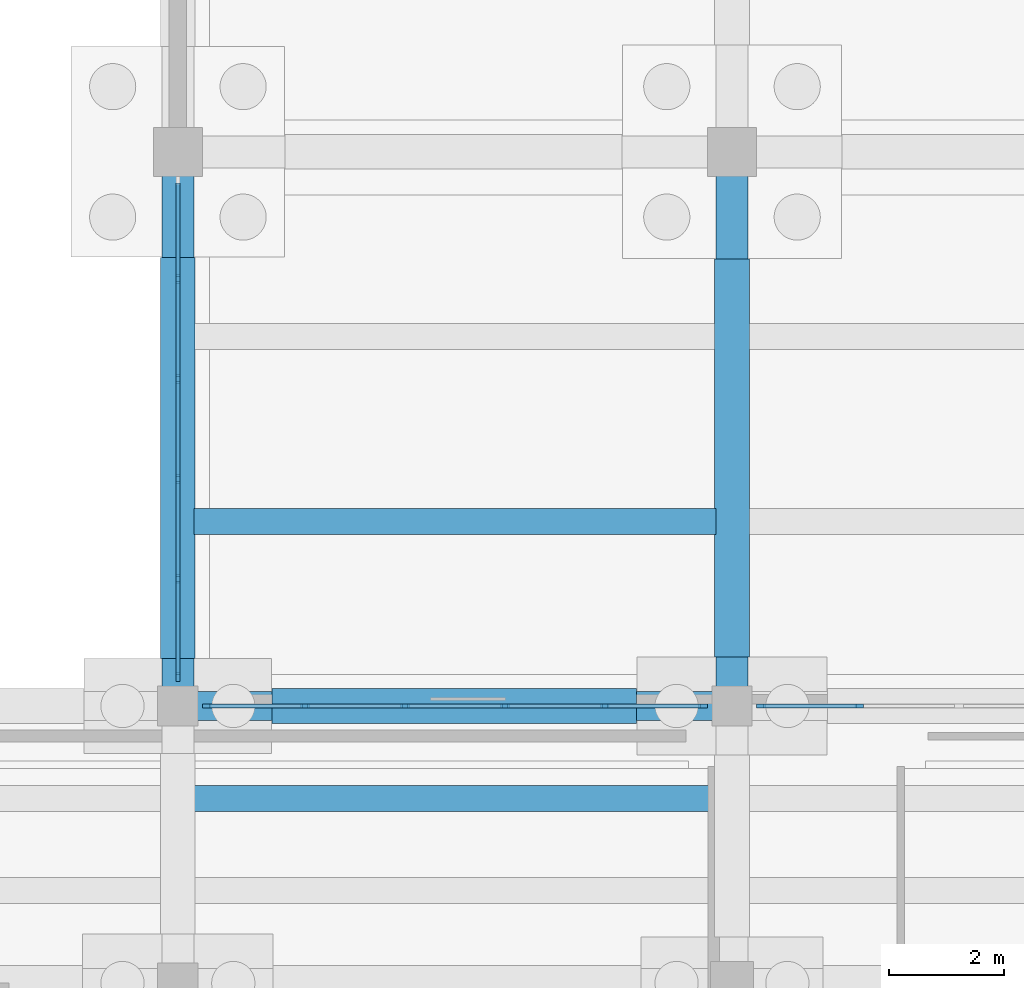
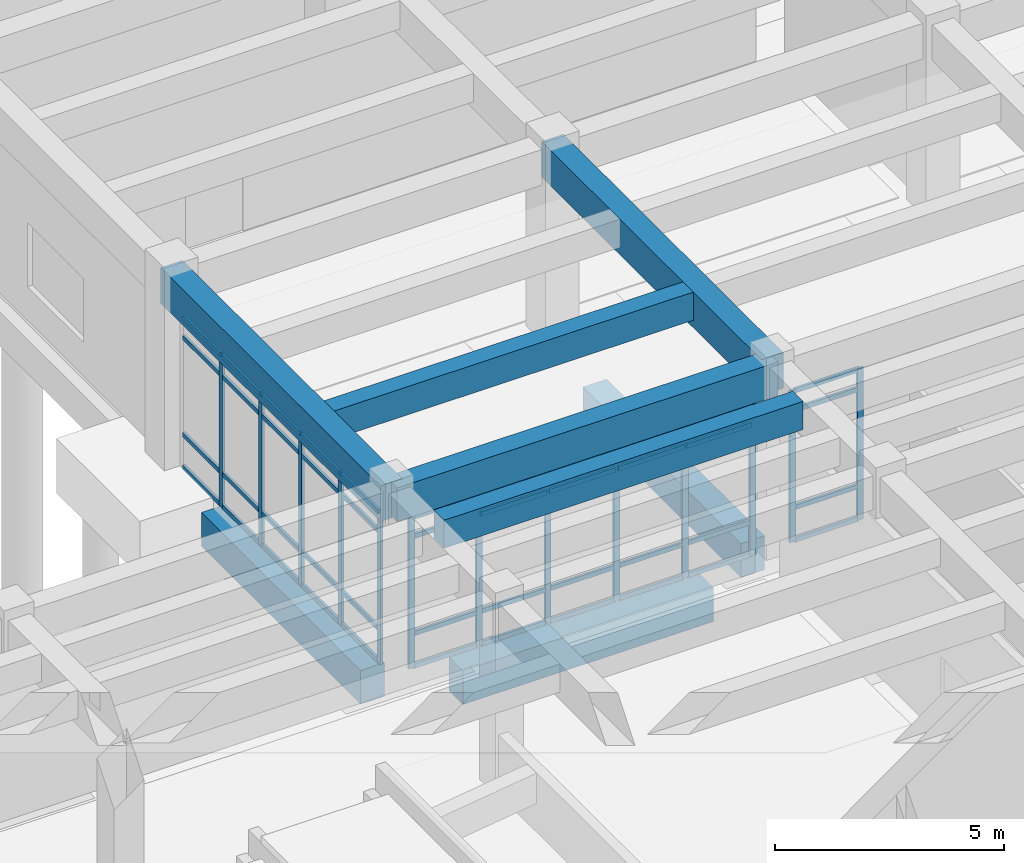
# One storey, part 29 of 102: 57 members, 8 beams, 3 elements without a shape of their own.
"""IFC4 building model written with IfcOpenShell, lengths in metres."""

from ifc_helpers import new_model, si_unit, direction, frame, origin, origin_2d, place, context, subcontext, project, spatial, rectangle, extrude, material, layer, layer_set, material_profile, profile_set, type_object, element, aggregate, save


model = new_model("IFC4")

# Units and contexts
model_context = context("Model", 3, precision=1e-05, world=origin(), true_north=direction((0.0, 1.0)))
body_context = subcontext(model_context, "Body", "Model", "MODEL_VIEW")
ifc_project = project(units=[si_unit("LENGTHUNIT", "METRE"), si_unit("AREAUNIT", "SQUARE_METRE"), si_unit("VOLUMEUNIT", "CUBIC_METRE"), si_unit("PLANEANGLEUNIT", "RADIAN"), si_unit("MASSUNIT", "GRAM", prefix="KILO")], contexts=[model_context])

# Site, building, storey
site_placement = place(None, origin())
site = spatial("IfcSite", under=ifc_project, at=site_placement, CompositionType="ELEMENT")
building_placement = place(site_placement, origin())
building = spatial("IfcBuilding", under=site, at=building_placement, Name="Kolvemor Railside Polytechnic", CompositionType="ELEMENT")
storey_placement = place(building_placement, origin())
storey = spatial("IfcBuildingStorey", under=building, at=storey_placement, Name="L00", CompositionType="ELEMENT", Elevation=0.0)

# Beams
ifc_material_1 = material(Name="Concrete C40/50", Category="concrete")
ifc_material_profile_1 = material_profile(ifc_material_1, rectangle(XDim=0.550048828125, YDim=0.949951171875, at=origin_2d()), Name="RC550x950")
ifc_profile_set_1 = profile_set([ifc_material_profile_1], Name="Concrete C40/50")
beam_type_1 = type_object("IfcBeamType", Name="BM-RC-GIRD", PredefinedType="BEAM", material=ifc_profile_set_1)
for number, where, z_axis, x_axis, name in (
    (1, (19.199951171875, 81.60009765625, 4.635009765625), (0.0, 1.0, 0.0), (-1.0, 0.0, 0.0), "Primary Girder L01-GY 1048"),
    (2, (28.800048828125, 81.60009765625, 4.635009765625), (0.0, 1.0, 0.0), (-1.0, 0.0, 0.0), "Primary Girder L01-GY 1049"),
):
    element("IfcBeam", number, at=place(storey_placement, frame(where, z_axis=z_axis, x_axis=x_axis)), inside=storey, type_object=beam_type_1, Name=name, PredefinedType="BEAM", context=body_context, shape_type="SweptSolid", body=[
        extrude(rectangle(XDim=0.550048828125, YDim=0.949951171875, at=origin_2d()), origin(), (0.0, 0.0, 1.0), 9.599853515625),
    ])
ifc_material_2 = material(Name="Concrete C40/50", Category="concrete")
ifc_material_profile_2 = material_profile(ifc_material_2, rectangle(XDim=0.5, YDim=0.89990234375, at=origin_2d()), Name="RC500x900")
ifc_profile_set_2 = profile_set([ifc_material_profile_2], Name="Concrete C40/50")
beam_type_2 = type_object("IfcBeamType", Name="BM-RC-GIRD4", PredefinedType="BEAM", material=ifc_profile_set_2)
beam_1_placement = place(storey_placement, frame((19.199951171875, 81.60009765625, 4.659912109375), z_axis=(1.0, 0.0, 0.0), x_axis=(0.0, 1.0, 0.0)))
element("IfcBeam", 3, at=beam_1_placement, inside=storey, type_object=beam_type_2, Name="Primary Girder L01-GX 0048", PredefinedType="BEAM", context=body_context, shape_type="SweptSolid", body=[
    extrude(rectangle(XDim=0.5, YDim=0.89990234375, at=origin_2d()), origin(), (0.0, 0.0, 1.0), 9.60009765625),
])
ifc_material_3 = material(Name="Concrete C40/50", Category="concrete")
ifc_material_profile_3 = material_profile(ifc_material_3, rectangle(XDim=0.449951171875, YDim=0.75, at=origin_2d()), Name="RC450x750")
ifc_profile_set_3 = profile_set([ifc_material_profile_3], Name="Concrete C40/50")
beam_type_3 = type_object("IfcBeamType", Name="BM-RC-SEC", PredefinedType="JOIST", material=ifc_profile_set_3)
for number, where, z_axis, x_axis, name in (
    (4, (19.47509765625, 80.0, 4.735107421875), (1.0, 0.0, 0.0), (0.0, 1.0, 0.0), "Floor Joist L01-J0154"),
    (5, (19.47509765625, 84.800048828125, 4.735107421875), (1.0, 0.0, 0.0), (0.0, 1.0, 0.0), "Floor Joist L01-J1052"),
):
    element("IfcBeam", number, at=place(storey_placement, frame(where, z_axis=z_axis, x_axis=x_axis)), inside=storey, type_object=beam_type_3, Name=name, PredefinedType="JOIST", context=body_context, shape_type="SweptSolid", body=[
        extrude(rectangle(XDim=0.449951171875, YDim=0.75, at=origin_2d()), origin(), (0.0, 0.0, 1.0), 9.0498046875),
    ])
ifc_material_4 = material(Name="Concrete C40/50", Category="concrete")
ifc_material_profile_4 = material_profile(ifc_material_4, rectangle(XDim=0.60009765625, YDim=0.89990234375, at=origin_2d()), Name="RC600x900")
ifc_profile_set_4 = profile_set([ifc_material_profile_4], Name="Concrete C40/50")
beam_type_4 = type_object("IfcBeamType", Name="BM-RC-TIE", PredefinedType="BEAM", material=ifc_profile_set_4)
beam_2_placement = place(storey_placement, frame((20.826904296875, 81.60009765625, -0.75), z_axis=(1.0, 0.0, 0.0), x_axis=(0.0, 1.0, 0.0)))
element("IfcBeam", 6, at=beam_2_placement, inside=storey, type_object=beam_type_4, Name="Ground Tie Beam GTB-X177", PredefinedType="BEAM", context=body_context, shape_type="SweptSolid", body=[
    extrude(rectangle(XDim=0.60009765625, YDim=0.89990234375, at=origin_2d()), origin(), (0.0, 0.0, 1.0), 6.321044921875),
])
beam_3_placement = place(storey_placement, frame((19.199951171875, 82.427001953125, -0.75), z_axis=(0.0, 1.0, 0.0), x_axis=(-1.0, 0.0, 0.0)))
element("IfcBeam", 7, at=beam_3_placement, inside=storey, type_object=beam_type_4, Name="Ground Tie Beam GTB-Y258", PredefinedType="BEAM", context=body_context, shape_type="SweptSolid", body=[
    extrude(rectangle(XDim=0.60009765625, YDim=0.89990234375, at=origin_2d()), origin(), (0.0, 0.0, 1.0), 6.946044921875),
])
beam_4_placement = place(storey_placement, frame((28.800048828125, 82.451904296875, -0.75), z_axis=(0.0, 1.0, 0.0), x_axis=(-1.0, 0.0, 0.0)))
element("IfcBeam", 8, at=beam_4_placement, inside=storey, type_object=beam_type_4, Name="Ground Tie Beam GTB-Y271", PredefinedType="BEAM", context=body_context, shape_type="SweptSolid", body=[
    extrude(rectangle(XDim=0.60009765625, YDim=0.89990234375, at=origin_2d()), origin(), (0.0, 0.0, 1.0), 6.89599609375),
])

# Curtain wall, members
ifc_material_5 = material(Name="Anodised marine aluminium and laminated low-E glass", Category="aluminium")
ifc_layer = layer(ifc_material_5, 0.179931640625, Name="CW-UNIT-STD")
ifc_layer_set = layer_set([ifc_layer], Name="Anodised marine aluminium and laminated low-E glass")
curtain_wall_type = type_object("IfcCurtainWallType", Name="CW-UNIT-STD", PredefinedType="USERDEFINED", material=ifc_layer_set)
curtain_wall_1_placement = place(storey_placement, origin())
curtain_wall_1 = element("IfcCurtainWall", 9, at=curtain_wall_1_placement, inside=storey, type_object=curtain_wall_type, Name="Curtain Wall L00-028", ObjectType="UNITISED CURTAIN WALL", PredefinedType="USERDEFINED")
ifc_material_6 = material(Name="Anodised marine aluminium 6063-T6", Category="aluminium")
ifc_material_profile_5 = material_profile(ifc_material_6, rectangle(XDim=0.06494140625, YDim=0.14990234375, at=origin_2d()), Name="CW-MUL-65x150")
ifc_profile_set_5 = profile_set([ifc_material_profile_5], Name="Anodised marine aluminium 6063-T6")
member_type_1 = type_object("IfcMemberType", Name="CWM-65x150", PredefinedType="MULLION", material=ifc_profile_set_5)
member_1_placement = place(storey_placement, frame((28.297607421875, 81.60009765625, 0.0), z_axis=(0.0, 0.0, 1.0), x_axis=(0.0, -1.0, 0.0)))
member_1 = element("IfcMember", 10, at=member_1_placement, type_object=member_type_1, Name="CW-STD mullion 1", PredefinedType="MULLION", context=body_context, shape_type="SweptSolid", body=[
    extrude(rectangle(XDim=0.06494140625, YDim=0.14990234375, at=origin_2d()), origin(), (0.0, 0.0, 1.0), 4.0400390625),
])
member_2_placement = place(storey_placement, frame((26.597900390625, 81.60009765625, 0.0), z_axis=(0.0, 0.0, 1.0), x_axis=(0.0, -1.0, 0.0)))
member_2 = element("IfcMember", 11, at=member_2_placement, type_object=member_type_1, Name="CW-STD mullion 2", PredefinedType="MULLION", context=body_context, shape_type="SweptSolid", body=[
    extrude(rectangle(XDim=0.06494140625, YDim=0.14990234375, at=origin_2d()), origin(), (0.0, 0.0, 1.0), 4.0400390625),
])
member_3_placement = place(storey_placement, frame((24.865966796875, 81.60009765625, 0.0), z_axis=(0.0, 0.0, 1.0), x_axis=(0.0, -1.0, 0.0)))
member_3 = element("IfcMember", 12, at=member_3_placement, type_object=member_type_1, Name="CW-STD mullion 3", PredefinedType="MULLION", context=body_context, shape_type="SweptSolid", body=[
    extrude(rectangle(XDim=0.06494140625, YDim=0.14990234375, at=origin_2d()), origin(), (0.0, 0.0, 1.0), 4.0400390625),
])
member_4_placement = place(storey_placement, frame((23.134033203125, 81.60009765625, 0.0), z_axis=(0.0, 0.0, 1.0), x_axis=(0.0, -1.0, 0.0)))
member_4 = element("IfcMember", 13, at=member_4_placement, type_object=member_type_1, Name="CW-STD mullion 4", PredefinedType="MULLION", context=body_context, shape_type="SweptSolid", body=[
    extrude(rectangle(XDim=0.06494140625, YDim=0.14990234375, at=origin_2d()), origin(), (0.0, 0.0, 1.0), 4.0400390625),
])
member_5_placement = place(storey_placement, frame((21.402099609375, 81.60009765625, 0.0), z_axis=(0.0, 0.0, 1.0), x_axis=(0.0, -1.0, 0.0)))
member_5 = element("IfcMember", 14, at=member_5_placement, type_object=member_type_1, Name="CW-STD mullion 5", PredefinedType="MULLION", context=body_context, shape_type="SweptSolid", body=[
    extrude(rectangle(XDim=0.06494140625, YDim=0.14990234375, at=origin_2d()), origin(), (0.0, 0.0, 1.0), 4.0400390625),
])
member_6_placement = place(storey_placement, frame((19.702392578125, 81.60009765625, 0.0), z_axis=(0.0, 0.0, 1.0), x_axis=(0.0, -1.0, 0.0)))
member_6 = element("IfcMember", 15, at=member_6_placement, type_object=member_type_1, Name="CW-STD mullion 6", PredefinedType="MULLION", context=body_context, shape_type="SweptSolid", body=[
    extrude(rectangle(XDim=0.06494140625, YDim=0.14990234375, at=origin_2d()), origin(), (0.0, 0.0, 1.0), 4.0400390625),
])

curtain_wall_2_placement = place(storey_placement, origin())
curtain_wall_2 = element("IfcCurtainWall", 16, at=curtain_wall_2_placement, inside=storey, type_object=curtain_wall_type, Name="Curtain Wall L00-029", ObjectType="UNITISED CURTAIN WALL", PredefinedType="USERDEFINED")
member_7_placement = place(storey_placement, frame((31.001953125, 81.60009765625, 0.0), z_axis=(0.0, 0.0, 1.0), x_axis=(0.0, -1.0, 0.0)))
member_7 = element("IfcMember", 17, at=member_7_placement, type_object=member_type_1, Name="CW-STD mullion 5", PredefinedType="MULLION", context=body_context, shape_type="SweptSolid", body=[
    extrude(rectangle(XDim=0.06494140625, YDim=0.14990234375, at=origin_2d()), origin(), (0.0, 0.0, 1.0), 4.0400390625),
])
member_8_placement = place(storey_placement, frame((29.302490234375, 81.60009765625, 0.0), z_axis=(0.0, 0.0, 1.0), x_axis=(0.0, -1.0, 0.0)))
member_8 = element("IfcMember", 18, at=member_8_placement, type_object=member_type_1, Name="CW-STD mullion 6", PredefinedType="MULLION", context=body_context, shape_type="SweptSolid", body=[
    extrude(rectangle(XDim=0.06494140625, YDim=0.14990234375, at=origin_2d()), origin(), (0.0, 0.0, 1.0), 4.0400390625),
])

curtain_wall_3_placement = place(storey_placement, origin())
curtain_wall_3 = element("IfcCurtainWall", 19, at=curtain_wall_3_placement, inside=storey, type_object=curtain_wall_type, Name="Curtain Wall L00-034", ObjectType="UNITISED CURTAIN WALL", PredefinedType="USERDEFINED")
member_9_placement = place(storey_placement, frame((19.199951171875, 88.998046875, 0.0), z_axis=(0.0, 0.0, 1.0), x_axis=(1.0, 0.0, 0.0)))
member_9 = element("IfcMember", 20, at=member_9_placement, type_object=member_type_1, Name="CW-STD mullion 2", PredefinedType="MULLION", context=body_context, shape_type="SweptSolid", body=[
    extrude(rectangle(XDim=0.06494140625, YDim=0.14990234375, at=origin_2d()), origin(), (0.0, 0.0, 1.0), 4.0400390625),
])
member_10_placement = place(storey_placement, frame((19.199951171875, 87.26611328125, 0.0), z_axis=(0.0, 0.0, 1.0), x_axis=(1.0, 0.0, 0.0)))
member_10 = element("IfcMember", 21, at=member_10_placement, type_object=member_type_1, Name="CW-STD mullion 3", PredefinedType="MULLION", context=body_context, shape_type="SweptSolid", body=[
    extrude(rectangle(XDim=0.06494140625, YDim=0.14990234375, at=origin_2d()), origin(), (0.0, 0.0, 1.0), 4.0400390625),
])
member_11_placement = place(storey_placement, frame((19.199951171875, 85.533935546875, 0.0), z_axis=(0.0, 0.0, 1.0), x_axis=(1.0, 0.0, 0.0)))
member_11 = element("IfcMember", 22, at=member_11_placement, type_object=member_type_1, Name="CW-STD mullion 4", PredefinedType="MULLION", context=body_context, shape_type="SweptSolid", body=[
    extrude(rectangle(XDim=0.06494140625, YDim=0.14990234375, at=origin_2d()), origin(), (0.0, 0.0, 1.0), 4.0400390625),
])
member_12_placement = place(storey_placement, frame((19.199951171875, 83.802001953125, 0.0), z_axis=(0.0, 0.0, 1.0), x_axis=(1.0, 0.0, 0.0)))
member_12 = element("IfcMember", 23, at=member_12_placement, type_object=member_type_1, Name="CW-STD mullion 5", PredefinedType="MULLION", context=body_context, shape_type="SweptSolid", body=[
    extrude(rectangle(XDim=0.06494140625, YDim=0.14990234375, at=origin_2d()), origin(), (0.0, 0.0, 1.0), 4.0400390625),
])
member_13_placement = place(storey_placement, frame((19.199951171875, 82.1025390625, 0.0), z_axis=(0.0, 0.0, 1.0), x_axis=(1.0, 0.0, 0.0)))
member_13 = element("IfcMember", 24, at=member_13_placement, type_object=member_type_1, Name="CW-STD mullion 6", PredefinedType="MULLION", context=body_context, shape_type="SweptSolid", body=[
    extrude(rectangle(XDim=0.06494140625, YDim=0.14990234375, at=origin_2d()), origin(), (0.0, 0.0, 1.0), 4.0400390625),
])

# Member
ifc_material_7 = material(Name="Anodised marine aluminium 6063-T6", Category="aluminium")
ifc_material_profile_6 = material_profile(ifc_material_7, rectangle(XDim=0.06494140625, YDim=0.1201171875, at=origin_2d()), Name="CW-TRN-65x120")
ifc_profile_set_6 = profile_set([ifc_material_profile_6], Name="Anodised marine aluminium 6063-T6")
member_type_2 = type_object("IfcMemberType", Name="CWT-65x120", PredefinedType="USERDEFINED", material=ifc_profile_set_6)
member_14_placement = place(storey_placement, frame((28.264892578125, 81.60009765625, 0.032470703125), z_axis=(-1.0, 0.0, 0.0), x_axis=(0.0, -1.0, 0.0)))
member_14 = element("IfcMember", 25, at=member_14_placement, type_object=member_type_2, Name="CW-STD transom 1.1", ObjectType="TRANSOM", PredefinedType="USERDEFINED", context=body_context, shape_type="SweptSolid", body=[
    extrude(rectangle(XDim=0.06494140625, YDim=0.1201171875, at=origin_2d()), origin(), (0.0, 0.0, 1.0), 1.63427734375),
])

member_15_placement = place(storey_placement, frame((28.264892578125, 81.60009765625, 0.89990234375), z_axis=(-1.0, 0.0, 0.0), x_axis=(0.0, -1.0, 0.0)))
member_15 = element("IfcMember", 26, at=member_15_placement, type_object=member_type_2, Name="CW-STD transom 1.2", ObjectType="TRANSOM", PredefinedType="USERDEFINED", context=body_context, shape_type="SweptSolid", body=[
    extrude(rectangle(XDim=0.06494140625, YDim=0.1201171875, at=origin_2d()), origin(), (0.0, 0.0, 1.0), 1.63427734375),
])

member_16_placement = place(storey_placement, frame((28.264892578125, 81.60009765625, 3.489990234375), z_axis=(-1.0, 0.0, 0.0), x_axis=(0.0, -1.0, 0.0)))
member_16 = element("IfcMember", 27, at=member_16_placement, type_object=member_type_2, Name="CW-STD transom 1.3", ObjectType="TRANSOM", PredefinedType="USERDEFINED", context=body_context, shape_type="SweptSolid", body=[
    extrude(rectangle(XDim=0.06494140625, YDim=0.1201171875, at=origin_2d()), origin(), (0.0, 0.0, 1.0), 1.63427734375),
])

member_17_placement = place(storey_placement, frame((28.264892578125, 81.60009765625, 4.007568359375), z_axis=(-1.0, 0.0, 0.0), x_axis=(0.0, -1.0, 0.0)))
member_17 = element("IfcMember", 28, at=member_17_placement, type_object=member_type_2, Name="CW-STD transom 1.4", ObjectType="TRANSOM", PredefinedType="USERDEFINED", context=body_context, shape_type="SweptSolid", body=[
    extrude(rectangle(XDim=0.06494140625, YDim=0.1201171875, at=origin_2d()), origin(), (0.0, 0.0, 1.0), 1.63427734375),
])

member_18_placement = place(storey_placement, frame((26.5654296875, 81.60009765625, 0.032470703125), z_axis=(-1.0, 0.0, 0.0), x_axis=(0.0, -1.0, 0.0)))
member_18 = element("IfcMember", 29, at=member_18_placement, type_object=member_type_2, Name="CW-STD transom 2.1", ObjectType="TRANSOM", PredefinedType="USERDEFINED", context=body_context, shape_type="SweptSolid", body=[
    extrude(rectangle(XDim=0.06494140625, YDim=0.1201171875, at=origin_2d()), origin(), (0.0, 0.0, 1.0), 1.6669921875),
])

member_19_placement = place(storey_placement, frame((26.5654296875, 81.60009765625, 0.89990234375), z_axis=(-1.0, 0.0, 0.0), x_axis=(0.0, -1.0, 0.0)))
member_19 = element("IfcMember", 30, at=member_19_placement, type_object=member_type_2, Name="CW-STD transom 2.2", ObjectType="TRANSOM", PredefinedType="USERDEFINED", context=body_context, shape_type="SweptSolid", body=[
    extrude(rectangle(XDim=0.06494140625, YDim=0.1201171875, at=origin_2d()), origin(), (0.0, 0.0, 1.0), 1.6669921875),
])

member_20_placement = place(storey_placement, frame((26.5654296875, 81.60009765625, 3.489990234375), z_axis=(-1.0, 0.0, 0.0), x_axis=(0.0, -1.0, 0.0)))
member_20 = element("IfcMember", 31, at=member_20_placement, type_object=member_type_2, Name="CW-STD transom 2.3", ObjectType="TRANSOM", PredefinedType="USERDEFINED", context=body_context, shape_type="SweptSolid", body=[
    extrude(rectangle(XDim=0.06494140625, YDim=0.1201171875, at=origin_2d()), origin(), (0.0, 0.0, 1.0), 1.6669921875),
])

member_21_placement = place(storey_placement, frame((26.5654296875, 81.60009765625, 4.007568359375), z_axis=(-1.0, 0.0, 0.0), x_axis=(0.0, -1.0, 0.0)))
member_21 = element("IfcMember", 32, at=member_21_placement, type_object=member_type_2, Name="CW-STD transom 2.4", ObjectType="TRANSOM", PredefinedType="USERDEFINED", context=body_context, shape_type="SweptSolid", body=[
    extrude(rectangle(XDim=0.06494140625, YDim=0.1201171875, at=origin_2d()), origin(), (0.0, 0.0, 1.0), 1.6669921875),
])

member_22_placement = place(storey_placement, frame((24.83349609375, 81.60009765625, 0.032470703125), z_axis=(-1.0, 0.0, 0.0), x_axis=(0.0, -1.0, 0.0)))
member_22 = element("IfcMember", 33, at=member_22_placement, type_object=member_type_2, Name="CW-STD transom 3.1", ObjectType="TRANSOM", PredefinedType="USERDEFINED", context=body_context, shape_type="SweptSolid", body=[
    extrude(rectangle(XDim=0.06494140625, YDim=0.1201171875, at=origin_2d()), origin(), (0.0, 0.0, 1.0), 1.6669921875),
])

member_23_placement = place(storey_placement, frame((24.83349609375, 81.60009765625, 0.89990234375), z_axis=(-1.0, 0.0, 0.0), x_axis=(0.0, -1.0, 0.0)))
member_23 = element("IfcMember", 34, at=member_23_placement, type_object=member_type_2, Name="CW-STD transom 3.2", ObjectType="TRANSOM", PredefinedType="USERDEFINED", context=body_context, shape_type="SweptSolid", body=[
    extrude(rectangle(XDim=0.06494140625, YDim=0.1201171875, at=origin_2d()), origin(), (0.0, 0.0, 1.0), 1.6669921875),
])

member_24_placement = place(storey_placement, frame((24.83349609375, 81.60009765625, 3.489990234375), z_axis=(-1.0, 0.0, 0.0), x_axis=(0.0, -1.0, 0.0)))
member_24 = element("IfcMember", 35, at=member_24_placement, type_object=member_type_2, Name="CW-STD transom 3.3", ObjectType="TRANSOM", PredefinedType="USERDEFINED", context=body_context, shape_type="SweptSolid", body=[
    extrude(rectangle(XDim=0.06494140625, YDim=0.1201171875, at=origin_2d()), origin(), (0.0, 0.0, 1.0), 1.6669921875),
])

member_25_placement = place(storey_placement, frame((24.83349609375, 81.60009765625, 4.007568359375), z_axis=(-1.0, 0.0, 0.0), x_axis=(0.0, -1.0, 0.0)))
member_25 = element("IfcMember", 36, at=member_25_placement, type_object=member_type_2, Name="CW-STD transom 3.4", ObjectType="TRANSOM", PredefinedType="USERDEFINED", context=body_context, shape_type="SweptSolid", body=[
    extrude(rectangle(XDim=0.06494140625, YDim=0.1201171875, at=origin_2d()), origin(), (0.0, 0.0, 1.0), 1.6669921875),
])

member_26_placement = place(storey_placement, frame((23.1015625, 81.60009765625, 0.032470703125), z_axis=(-1.0, 0.0, 0.0), x_axis=(0.0, -1.0, 0.0)))
member_26 = element("IfcMember", 37, at=member_26_placement, type_object=member_type_2, Name="CW-STD transom 4.1", ObjectType="TRANSOM", PredefinedType="USERDEFINED", context=body_context, shape_type="SweptSolid", body=[
    extrude(rectangle(XDim=0.06494140625, YDim=0.1201171875, at=origin_2d()), origin(), (0.0, 0.0, 1.0), 1.6669921875),
])

member_27_placement = place(storey_placement, frame((23.1015625, 81.60009765625, 0.89990234375), z_axis=(-1.0, 0.0, 0.0), x_axis=(0.0, -1.0, 0.0)))
member_27 = element("IfcMember", 38, at=member_27_placement, type_object=member_type_2, Name="CW-STD transom 4.2", ObjectType="TRANSOM", PredefinedType="USERDEFINED", context=body_context, shape_type="SweptSolid", body=[
    extrude(rectangle(XDim=0.06494140625, YDim=0.1201171875, at=origin_2d()), origin(), (0.0, 0.0, 1.0), 1.6669921875),
])

member_28_placement = place(storey_placement, frame((23.1015625, 81.60009765625, 3.489990234375), z_axis=(-1.0, 0.0, 0.0), x_axis=(0.0, -1.0, 0.0)))
member_28 = element("IfcMember", 39, at=member_28_placement, type_object=member_type_2, Name="CW-STD transom 4.3", ObjectType="TRANSOM", PredefinedType="USERDEFINED", context=body_context, shape_type="SweptSolid", body=[
    extrude(rectangle(XDim=0.06494140625, YDim=0.1201171875, at=origin_2d()), origin(), (0.0, 0.0, 1.0), 1.6669921875),
])

member_29_placement = place(storey_placement, frame((23.1015625, 81.60009765625, 4.007568359375), z_axis=(-1.0, 0.0, 0.0), x_axis=(0.0, -1.0, 0.0)))
member_29 = element("IfcMember", 40, at=member_29_placement, type_object=member_type_2, Name="CW-STD transom 4.4", ObjectType="TRANSOM", PredefinedType="USERDEFINED", context=body_context, shape_type="SweptSolid", body=[
    extrude(rectangle(XDim=0.06494140625, YDim=0.1201171875, at=origin_2d()), origin(), (0.0, 0.0, 1.0), 1.6669921875),
])

member_30_placement = place(storey_placement, frame((21.369384765625, 81.60009765625, 0.032470703125), z_axis=(-1.0, 0.0, 0.0), x_axis=(0.0, -1.0, 0.0)))
member_30 = element("IfcMember", 41, at=member_30_placement, type_object=member_type_2, Name="CW-STD transom 5.1", ObjectType="TRANSOM", PredefinedType="USERDEFINED", context=body_context, shape_type="SweptSolid", body=[
    extrude(rectangle(XDim=0.06494140625, YDim=0.1201171875, at=origin_2d()), origin(), (0.0, 0.0, 1.0), 1.63427734375),
])

member_31_placement = place(storey_placement, frame((21.369384765625, 81.60009765625, 0.89990234375), z_axis=(-1.0, 0.0, 0.0), x_axis=(0.0, -1.0, 0.0)))
member_31 = element("IfcMember", 42, at=member_31_placement, type_object=member_type_2, Name="CW-STD transom 5.2", ObjectType="TRANSOM", PredefinedType="USERDEFINED", context=body_context, shape_type="SweptSolid", body=[
    extrude(rectangle(XDim=0.06494140625, YDim=0.1201171875, at=origin_2d()), origin(), (0.0, 0.0, 1.0), 1.63427734375),
])

member_32_placement = place(storey_placement, frame((21.369384765625, 81.60009765625, 3.489990234375), z_axis=(-1.0, 0.0, 0.0), x_axis=(0.0, -1.0, 0.0)))
member_32 = element("IfcMember", 43, at=member_32_placement, type_object=member_type_2, Name="CW-STD transom 5.3", ObjectType="TRANSOM", PredefinedType="USERDEFINED", context=body_context, shape_type="SweptSolid", body=[
    extrude(rectangle(XDim=0.06494140625, YDim=0.1201171875, at=origin_2d()), origin(), (0.0, 0.0, 1.0), 1.63427734375),
])

member_33_placement = place(storey_placement, frame((21.369384765625, 81.60009765625, 4.007568359375), z_axis=(-1.0, 0.0, 0.0), x_axis=(0.0, -1.0, 0.0)))
member_33 = element("IfcMember", 44, at=member_33_placement, type_object=member_type_2, Name="CW-STD transom 5.4", ObjectType="TRANSOM", PredefinedType="USERDEFINED", context=body_context, shape_type="SweptSolid", body=[
    extrude(rectangle(XDim=0.06494140625, YDim=0.1201171875, at=origin_2d()), origin(), (0.0, 0.0, 1.0), 1.63427734375),
])

aggregate(curtain_wall_1, [member_1, member_2, member_3, member_4, member_5, member_6, member_14, member_15, member_16, member_17, member_18, member_19, member_20, member_21, member_22, member_23, member_24, member_25, member_26, member_27, member_28, member_29, member_30, member_31, member_32, member_33])

member_34_placement = place(storey_placement, frame((30.969482421875, 81.60009765625, 0.032470703125), z_axis=(-1.0, 0.0, 0.0), x_axis=(0.0, -1.0, 0.0)))
member_34 = element("IfcMember", 45, at=member_34_placement, type_object=member_type_2, Name="CW-STD transom 5.1", ObjectType="TRANSOM", PredefinedType="USERDEFINED", context=body_context, shape_type="SweptSolid", body=[
    extrude(rectangle(XDim=0.06494140625, YDim=0.1201171875, at=origin_2d()), origin(), (0.0, 0.0, 1.0), 1.634521484375),
])

member_35_placement = place(storey_placement, frame((30.969482421875, 81.60009765625, 0.89990234375), z_axis=(-1.0, 0.0, 0.0), x_axis=(0.0, -1.0, 0.0)))
member_35 = element("IfcMember", 46, at=member_35_placement, type_object=member_type_2, Name="CW-STD transom 5.2", ObjectType="TRANSOM", PredefinedType="USERDEFINED", context=body_context, shape_type="SweptSolid", body=[
    extrude(rectangle(XDim=0.06494140625, YDim=0.1201171875, at=origin_2d()), origin(), (0.0, 0.0, 1.0), 1.634521484375),
])

member_36_placement = place(storey_placement, frame((30.969482421875, 81.60009765625, 3.489990234375), z_axis=(-1.0, 0.0, 0.0), x_axis=(0.0, -1.0, 0.0)))
member_36 = element("IfcMember", 47, at=member_36_placement, type_object=member_type_2, Name="CW-STD transom 5.3", ObjectType="TRANSOM", PredefinedType="USERDEFINED", context=body_context, shape_type="SweptSolid", body=[
    extrude(rectangle(XDim=0.06494140625, YDim=0.1201171875, at=origin_2d()), origin(), (0.0, 0.0, 1.0), 1.634521484375),
])

member_37_placement = place(storey_placement, frame((30.969482421875, 81.60009765625, 4.007568359375), z_axis=(-1.0, 0.0, 0.0), x_axis=(0.0, -1.0, 0.0)))
member_37 = element("IfcMember", 48, at=member_37_placement, type_object=member_type_2, Name="CW-STD transom 5.4", ObjectType="TRANSOM", PredefinedType="USERDEFINED", context=body_context, shape_type="SweptSolid", body=[
    extrude(rectangle(XDim=0.06494140625, YDim=0.1201171875, at=origin_2d()), origin(), (0.0, 0.0, 1.0), 1.634521484375),
])

aggregate(curtain_wall_2, [member_7, member_8, member_34, member_35, member_36, member_37])

member_38_placement = place(storey_placement, frame((19.199951171875, 90.6650390625, 0.032470703125), z_axis=(0.0, -1.0, 0.0), x_axis=(1.0, 0.0, 0.0)))
member_38 = element("IfcMember", 49, at=member_38_placement, type_object=member_type_2, Name="CW-STD transom 1.1", ObjectType="TRANSOM", PredefinedType="USERDEFINED", context=body_context, shape_type="SweptSolid", body=[
    extrude(rectangle(XDim=0.06494140625, YDim=0.1201171875, at=origin_2d()), origin(), (0.0, 0.0, 1.0), 1.634521484375),
])

member_39_placement = place(storey_placement, frame((19.199951171875, 90.6650390625, 0.89990234375), z_axis=(0.0, -1.0, 0.0), x_axis=(1.0, 0.0, 0.0)))
member_39 = element("IfcMember", 50, at=member_39_placement, type_object=member_type_2, Name="CW-STD transom 1.2", ObjectType="TRANSOM", PredefinedType="USERDEFINED", context=body_context, shape_type="SweptSolid", body=[
    extrude(rectangle(XDim=0.06494140625, YDim=0.1201171875, at=origin_2d()), origin(), (0.0, 0.0, 1.0), 1.634521484375),
])

member_40_placement = place(storey_placement, frame((19.199951171875, 90.6650390625, 3.489990234375), z_axis=(0.0, -1.0, 0.0), x_axis=(1.0, 0.0, 0.0)))
member_40 = element("IfcMember", 51, at=member_40_placement, type_object=member_type_2, Name="CW-STD transom 1.3", ObjectType="TRANSOM", PredefinedType="USERDEFINED", context=body_context, shape_type="SweptSolid", body=[
    extrude(rectangle(XDim=0.06494140625, YDim=0.1201171875, at=origin_2d()), origin(), (0.0, 0.0, 1.0), 1.634521484375),
])

member_41_placement = place(storey_placement, frame((19.199951171875, 90.6650390625, 4.007568359375), z_axis=(0.0, -1.0, 0.0), x_axis=(1.0, 0.0, 0.0)))
member_41 = element("IfcMember", 52, at=member_41_placement, type_object=member_type_2, Name="CW-STD transom 1.4", ObjectType="TRANSOM", PredefinedType="USERDEFINED", context=body_context, shape_type="SweptSolid", body=[
    extrude(rectangle(XDim=0.06494140625, YDim=0.1201171875, at=origin_2d()), origin(), (0.0, 0.0, 1.0), 1.634521484375),
])

member_42_placement = place(storey_placement, frame((19.199951171875, 88.965576171875, 0.032470703125), z_axis=(0.0, -1.0, 0.0), x_axis=(1.0, 0.0, 0.0)))
member_42 = element("IfcMember", 53, at=member_42_placement, type_object=member_type_2, Name="CW-STD transom 2.1", ObjectType="TRANSOM", PredefinedType="USERDEFINED", context=body_context, shape_type="SweptSolid", body=[
    extrude(rectangle(XDim=0.06494140625, YDim=0.1201171875, at=origin_2d()), origin(), (0.0, 0.0, 1.0), 1.6669921875),
])

member_43_placement = place(storey_placement, frame((19.199951171875, 88.965576171875, 0.89990234375), z_axis=(0.0, -1.0, 0.0), x_axis=(1.0, 0.0, 0.0)))
member_43 = element("IfcMember", 54, at=member_43_placement, type_object=member_type_2, Name="CW-STD transom 2.2", ObjectType="TRANSOM", PredefinedType="USERDEFINED", context=body_context, shape_type="SweptSolid", body=[
    extrude(rectangle(XDim=0.06494140625, YDim=0.1201171875, at=origin_2d()), origin(), (0.0, 0.0, 1.0), 1.6669921875),
])

member_44_placement = place(storey_placement, frame((19.199951171875, 88.965576171875, 3.489990234375), z_axis=(0.0, -1.0, 0.0), x_axis=(1.0, 0.0, 0.0)))
member_44 = element("IfcMember", 55, at=member_44_placement, type_object=member_type_2, Name="CW-STD transom 2.3", ObjectType="TRANSOM", PredefinedType="USERDEFINED", context=body_context, shape_type="SweptSolid", body=[
    extrude(rectangle(XDim=0.06494140625, YDim=0.1201171875, at=origin_2d()), origin(), (0.0, 0.0, 1.0), 1.6669921875),
])

member_45_placement = place(storey_placement, frame((19.199951171875, 88.965576171875, 4.007568359375), z_axis=(0.0, -1.0, 0.0), x_axis=(1.0, 0.0, 0.0)))
member_45 = element("IfcMember", 56, at=member_45_placement, type_object=member_type_2, Name="CW-STD transom 2.4", ObjectType="TRANSOM", PredefinedType="USERDEFINED", context=body_context, shape_type="SweptSolid", body=[
    extrude(rectangle(XDim=0.06494140625, YDim=0.1201171875, at=origin_2d()), origin(), (0.0, 0.0, 1.0), 1.6669921875),
])

member_46_placement = place(storey_placement, frame((19.199951171875, 87.2333984375, 0.032470703125), z_axis=(0.0, -1.0, 0.0), x_axis=(1.0, 0.0, 0.0)))
member_46 = element("IfcMember", 57, at=member_46_placement, type_object=member_type_2, Name="CW-STD transom 3.1", ObjectType="TRANSOM", PredefinedType="USERDEFINED", context=body_context, shape_type="SweptSolid", body=[
    extrude(rectangle(XDim=0.06494140625, YDim=0.1201171875, at=origin_2d()), origin(), (0.0, 0.0, 1.0), 1.6669921875),
])

member_47_placement = place(storey_placement, frame((19.199951171875, 87.2333984375, 0.89990234375), z_axis=(0.0, -1.0, 0.0), x_axis=(1.0, 0.0, 0.0)))
member_47 = element("IfcMember", 58, at=member_47_placement, type_object=member_type_2, Name="CW-STD transom 3.2", ObjectType="TRANSOM", PredefinedType="USERDEFINED", context=body_context, shape_type="SweptSolid", body=[
    extrude(rectangle(XDim=0.06494140625, YDim=0.1201171875, at=origin_2d()), origin(), (0.0, 0.0, 1.0), 1.6669921875),
])

member_48_placement = place(storey_placement, frame((19.199951171875, 87.2333984375, 3.489990234375), z_axis=(0.0, -1.0, 0.0), x_axis=(1.0, 0.0, 0.0)))
member_48 = element("IfcMember", 59, at=member_48_placement, type_object=member_type_2, Name="CW-STD transom 3.3", ObjectType="TRANSOM", PredefinedType="USERDEFINED", context=body_context, shape_type="SweptSolid", body=[
    extrude(rectangle(XDim=0.06494140625, YDim=0.1201171875, at=origin_2d()), origin(), (0.0, 0.0, 1.0), 1.6669921875),
])

member_49_placement = place(storey_placement, frame((19.199951171875, 87.2333984375, 4.007568359375), z_axis=(0.0, -1.0, 0.0), x_axis=(1.0, 0.0, 0.0)))
member_49 = element("IfcMember", 60, at=member_49_placement, type_object=member_type_2, Name="CW-STD transom 3.4", ObjectType="TRANSOM", PredefinedType="USERDEFINED", context=body_context, shape_type="SweptSolid", body=[
    extrude(rectangle(XDim=0.06494140625, YDim=0.1201171875, at=origin_2d()), origin(), (0.0, 0.0, 1.0), 1.6669921875),
])

member_50_placement = place(storey_placement, frame((19.199951171875, 85.50146484375, 0.032470703125), z_axis=(0.0, -1.0, 0.0), x_axis=(1.0, 0.0, 0.0)))
member_50 = element("IfcMember", 61, at=member_50_placement, type_object=member_type_2, Name="CW-STD transom 4.1", ObjectType="TRANSOM", PredefinedType="USERDEFINED", context=body_context, shape_type="SweptSolid", body=[
    extrude(rectangle(XDim=0.06494140625, YDim=0.1201171875, at=origin_2d()), origin(), (0.0, 0.0, 1.0), 1.6669921875),
])

member_51_placement = place(storey_placement, frame((19.199951171875, 85.50146484375, 0.89990234375), z_axis=(0.0, -1.0, 0.0), x_axis=(1.0, 0.0, 0.0)))
member_51 = element("IfcMember", 62, at=member_51_placement, type_object=member_type_2, Name="CW-STD transom 4.2", ObjectType="TRANSOM", PredefinedType="USERDEFINED", context=body_context, shape_type="SweptSolid", body=[
    extrude(rectangle(XDim=0.06494140625, YDim=0.1201171875, at=origin_2d()), origin(), (0.0, 0.0, 1.0), 1.6669921875),
])

member_52_placement = place(storey_placement, frame((19.199951171875, 85.50146484375, 3.489990234375), z_axis=(0.0, -1.0, 0.0), x_axis=(1.0, 0.0, 0.0)))
member_52 = element("IfcMember", 63, at=member_52_placement, type_object=member_type_2, Name="CW-STD transom 4.3", ObjectType="TRANSOM", PredefinedType="USERDEFINED", context=body_context, shape_type="SweptSolid", body=[
    extrude(rectangle(XDim=0.06494140625, YDim=0.1201171875, at=origin_2d()), origin(), (0.0, 0.0, 1.0), 1.6669921875),
])

member_53_placement = place(storey_placement, frame((19.199951171875, 85.50146484375, 4.007568359375), z_axis=(0.0, -1.0, 0.0), x_axis=(1.0, 0.0, 0.0)))
member_53 = element("IfcMember", 64, at=member_53_placement, type_object=member_type_2, Name="CW-STD transom 4.4", ObjectType="TRANSOM", PredefinedType="USERDEFINED", context=body_context, shape_type="SweptSolid", body=[
    extrude(rectangle(XDim=0.06494140625, YDim=0.1201171875, at=origin_2d()), origin(), (0.0, 0.0, 1.0), 1.6669921875),
])

member_54_placement = place(storey_placement, frame((19.199951171875, 83.76953125, 0.032470703125), z_axis=(0.0, -1.0, 0.0), x_axis=(1.0, 0.0, 0.0)))
member_54 = element("IfcMember", 65, at=member_54_placement, type_object=member_type_2, Name="CW-STD transom 5.1", ObjectType="TRANSOM", PredefinedType="USERDEFINED", context=body_context, shape_type="SweptSolid", body=[
    extrude(rectangle(XDim=0.06494140625, YDim=0.1201171875, at=origin_2d()), origin(), (0.0, 0.0, 1.0), 1.634521484375),
])

member_55_placement = place(storey_placement, frame((19.199951171875, 83.76953125, 0.89990234375), z_axis=(0.0, -1.0, 0.0), x_axis=(1.0, 0.0, 0.0)))
member_55 = element("IfcMember", 66, at=member_55_placement, type_object=member_type_2, Name="CW-STD transom 5.2", ObjectType="TRANSOM", PredefinedType="USERDEFINED", context=body_context, shape_type="SweptSolid", body=[
    extrude(rectangle(XDim=0.06494140625, YDim=0.1201171875, at=origin_2d()), origin(), (0.0, 0.0, 1.0), 1.634521484375),
])

member_56_placement = place(storey_placement, frame((19.199951171875, 83.76953125, 3.489990234375), z_axis=(0.0, -1.0, 0.0), x_axis=(1.0, 0.0, 0.0)))
member_56 = element("IfcMember", 67, at=member_56_placement, type_object=member_type_2, Name="CW-STD transom 5.3", ObjectType="TRANSOM", PredefinedType="USERDEFINED", context=body_context, shape_type="SweptSolid", body=[
    extrude(rectangle(XDim=0.06494140625, YDim=0.1201171875, at=origin_2d()), origin(), (0.0, 0.0, 1.0), 1.634521484375),
])

member_57_placement = place(storey_placement, frame((19.199951171875, 83.76953125, 4.007568359375), z_axis=(0.0, -1.0, 0.0), x_axis=(1.0, 0.0, 0.0)))
member_57 = element("IfcMember", 68, at=member_57_placement, type_object=member_type_2, Name="CW-STD transom 5.4", ObjectType="TRANSOM", PredefinedType="USERDEFINED", context=body_context, shape_type="SweptSolid", body=[
    extrude(rectangle(XDim=0.06494140625, YDim=0.1201171875, at=origin_2d()), origin(), (0.0, 0.0, 1.0), 1.634521484375),
])

aggregate(curtain_wall_3, [member_9, member_10, member_11, member_12, member_13, member_38, member_39, member_40, member_41, member_42, member_43, member_44, member_45, member_46, member_47, member_48, member_49, member_50, member_51, member_52, member_53, member_54, member_55, member_56, member_57])

save(model, "model.ifc")
